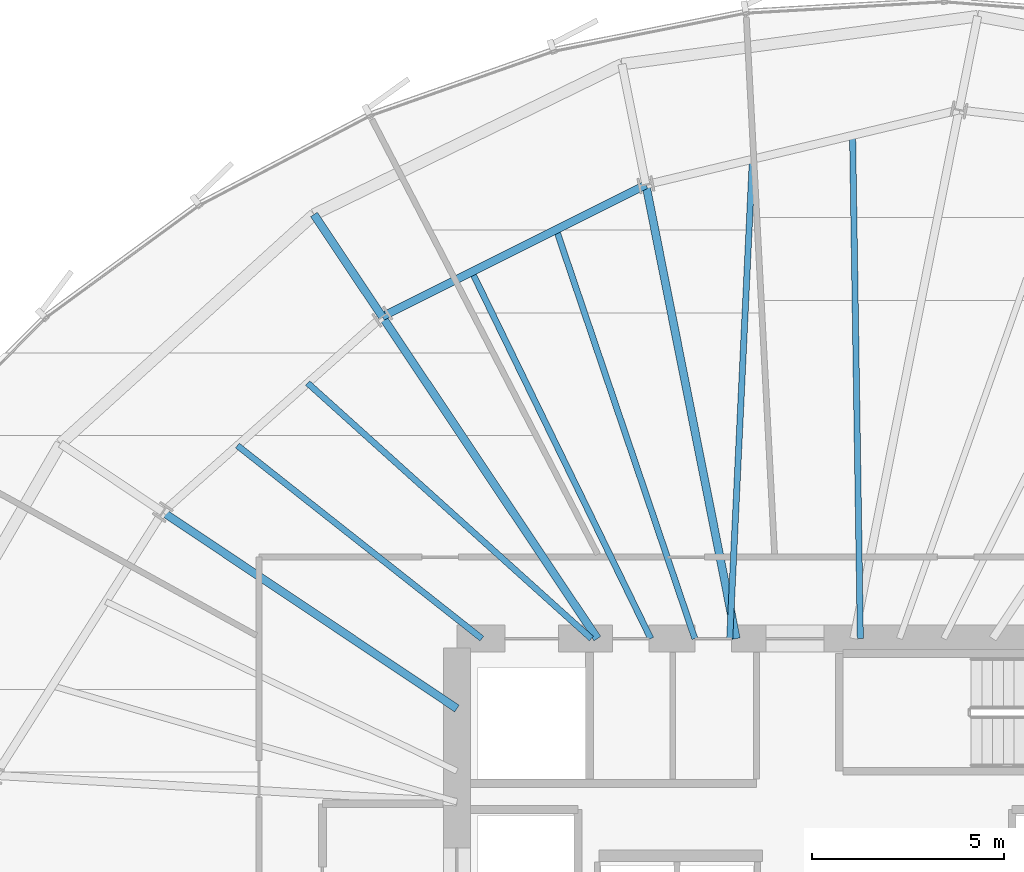
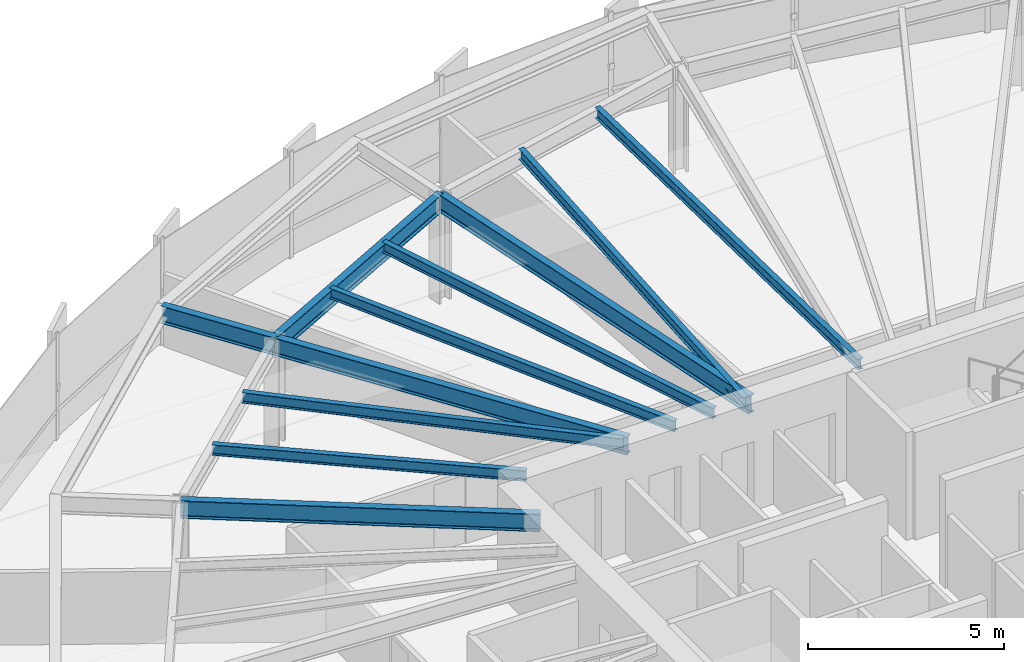
# One storey, part 19 of 35: 11 beams.
"""IFC4 building model written with IfcOpenShell, lengths in metres."""

import ifcopenshell
import ifcopenshell.guid

model = None  # the IFC model being written
_history = None  # IfcOwnerHistory: only IFC2X3 demands one
_inside = {}  # id of a spatial element -> (the spatial element, [elements in it])
_under = {}  # id of a project, library or spatial element -> (it, [spatial elements below it])
_declared = {}  # id of a project -> (the project, [libraries it declares])
_typed = {}  # id of a type object -> (the type object, [elements of that type])
_made_of = {}  # id of a material, layer set ... -> (it, [elements and type objects made of it])


def new_model(schema):
    """Start an empty IFC model of exactly this schema.

    Asked for "IFC4X3", IfcOpenShell would pick the latest addendum, in which some entities
    have other attributes; the version numbers below select the first issue.
    IFC2X3 requires an IfcOwnerHistory on every rooted entity: one is made here for all.
    """
    global model, _history
    if schema == "IFC4X3":
        model = ifcopenshell.file(schema_version=(4, 3, 0, 0))
    else:
        model = ifcopenshell.file(schema=schema)
    _inside.clear()
    _under.clear()
    _declared.clear()
    _typed.clear()
    _made_of.clear()
    _history = None
    if model.schema == "IFC2X3":
        org = make("IfcOrganization", Name="unknown")
        user = make(
            "IfcPersonAndOrganization",
            ThePerson=make("IfcPerson", FamilyName="unknown"),
            TheOrganization=org,
        )
        app = make(
            "IfcApplication",
            ApplicationDeveloper=org,
            Version="unknown",
            ApplicationFullName="unknown",
            ApplicationIdentifier="unknown",
        )
        _history = make(
            "IfcOwnerHistory",
            OwningUser=user,
            OwningApplication=app,
            ChangeAction="ADDED",
            CreationDate=0,
        )
    return model


def make(cls, **values):
    """One entity of the class cls with the attributes given. An attribute that is None is left unset."""
    return model.create_entity(
        cls, **{name: value for name, value in values.items() if value is not None}
    )


def rooted(cls, **values):
    """An entity with a GlobalId (a new one), such as an element, a storey or a relation."""
    return make(cls, GlobalId=ifcopenshell.guid.new(), OwnerHistory=_history, **values)


def si_unit(unit_type, name, prefix=None):
    """IfcSIUnit, for example si_unit("LENGTHUNIT", "METRE", prefix="MILLI")."""
    return make("IfcSIUnit", UnitType=unit_type, Prefix=prefix, Name=name)


def assignment(units):
    """IfcUnitAssignment: the units of a project."""
    return None if units is None else make("IfcUnitAssignment", Units=units)


def point(xyz):
    """IfcCartesianPoint."""
    return None if xyz is None else make("IfcCartesianPoint", Coordinates=xyz)


def direction(xyz):
    """IfcDirection."""
    return None if xyz is None else make("IfcDirection", DirectionRatios=xyz)


def frame(location, z_axis=None, x_axis=None):
    """IfcAxis2Placement3D, a coordinate frame: its origin and axes. An axis left out is left unset."""
    return make(
        "IfcAxis2Placement3D",
        Location=point(location),
        Axis=direction(z_axis),
        RefDirection=direction(x_axis),
    )


def frame_2d(location, x_axis=None):
    """IfcAxis2Placement2D, a coordinate frame in the plane: its origin and x axis."""
    return make(
        "IfcAxis2Placement2D", Location=point(location), RefDirection=direction(x_axis)
    )


def origin():
    """The frame at (0, 0, 0) with its axes left unset."""
    return frame((0.0, 0.0, 0.0))


def origin_2d():
    """The frame at (0, 0) in the plane with its x axis left unset."""
    return frame_2d((0.0, 0.0))


def place(relative_to, where):
    """IfcLocalPlacement: puts the frame where relative to a parent placement (None: the world)."""
    return make(
        "IfcLocalPlacement", PlacementRelTo=relative_to, RelativePlacement=where
    )


def context(
    kind, dimensions, precision=None, world=None, true_north=None, identifier=None
):
    """IfcGeometricRepresentationContext, for example the 3D "Model" context."""
    return make(
        "IfcGeometricRepresentationContext",
        ContextIdentifier=identifier,
        ContextType=kind,
        CoordinateSpaceDimension=dimensions,
        Precision=precision,
        WorldCoordinateSystem=world,
        TrueNorth=true_north,
    )


def subcontext(parent, identifier, kind, view, scale=None):
    """IfcGeometricRepresentationSubContext, for example "Body" below "Model"."""
    return make(
        "IfcGeometricRepresentationSubContext",
        ContextIdentifier=identifier,
        ContextType=kind,
        ParentContext=parent,
        TargetScale=scale,
        TargetView=view,
    )


def project(units=None, contexts=None):
    """IfcProject with its units and contexts."""
    return rooted(
        "IfcProject",
        Name="project",
        RepresentationContexts=contexts,
        UnitsInContext=assignment(units),
    )


def spatial(cls, under=None, at=None, **own):
    """A site, building, storey or space (cls), placed at a placement, below another one or the project."""
    s = rooted(cls, ObjectPlacement=at, **own)
    if under is not None:
        _under.setdefault(under.id(), (under, []))[1].append(s)
    return s


def profile(cls, at=None, kind="AREA", **sizes):
    """A parametric profile (cls). Its sizes go by their IFC names, for example OverallWidth=200.0."""
    return make(cls, ProfileType=kind, Position=at, **sizes)


def i_section(**sizes):
    """IfcIShapeProfileDef."""
    return profile("IfcIShapeProfileDef", **sizes)


def extrude(swept, where, along, depth):
    """IfcExtrudedAreaSolid: the profile swept, set in the frame where, extruded along a direction by depth."""
    return make(
        "IfcExtrudedAreaSolid",
        SweptArea=swept,
        Position=where,
        ExtrudedDirection=direction(along),
        Depth=depth,
    )


def shape(context_of_items, identifier, shape_type, items):
    """IfcShapeRepresentation: the items that make up one representation, for example the "Body"."""
    return make(
        "IfcShapeRepresentation",
        ContextOfItems=context_of_items,
        RepresentationIdentifier=identifier,
        RepresentationType=shape_type,
        Items=items,
    )


def source(mapping_origin, context_of_items, identifier, shape_type, items):
    """IfcRepresentationMap: a shape defined once, which mapped items show again and again."""
    return make(
        "IfcRepresentationMap",
        MappingOrigin=mapping_origin,
        MappedRepresentation=shape(context_of_items, identifier, shape_type, items),
    )


def transform(
    local_origin,
    x_axis=None,
    y_axis=None,
    z_axis=None,
    scale=None,
    scale2=None,
    scale3=None,
    uniform=True,
):
    """IfcCartesianTransformationOperator3D, or its non-uniform kind. x_axis, y_axis, z_axis: its Axis1, 2, 3."""
    if uniform:
        return make(
            "IfcCartesianTransformationOperator3D",
            Axis1=direction(x_axis),
            Axis2=direction(y_axis),
            LocalOrigin=point(local_origin),
            Scale=scale,
            Axis3=direction(z_axis),
        )
    return make(
        "IfcCartesianTransformationOperator3DnonUniform",
        Axis1=direction(x_axis),
        Axis2=direction(y_axis),
        LocalOrigin=point(local_origin),
        Scale=scale,
        Axis3=direction(z_axis),
        Scale2=scale2,
        Scale3=scale3,
    )


def mapped(mapping_source, mapping_target):
    """IfcMappedItem: shows the shape of a source again, moved by a transform."""
    return make(
        "IfcMappedItem", MappingSource=mapping_source, MappingTarget=mapping_target
    )


def material(Name=None, Category=None):
    """IfcMaterial."""
    return make("IfcMaterial", Name=Name, Category=Category)


def material_profile(
    of_material, cross_section, Name=None, Category=None, Priority=None
):
    """IfcMaterialProfile: a cross section and its material."""
    return make(
        "IfcMaterialProfile",
        Name=Name,
        Material=of_material,
        Profile=cross_section,
        Priority=Priority,
        Category=Category,
    )


def profile_set(profiles, Name=None, composite=None):
    """IfcMaterialProfileSet."""
    return make(
        "IfcMaterialProfileSet",
        Name=Name,
        MaterialProfiles=profiles,
        CompositeProfile=composite,
    )


def made_of(thing, what):
    """Note that an element or type object is made of a material, layer set ...; save() writes the relation."""
    if what is not None:
        _made_of.setdefault(what.id(), (what, []))[1].append(thing)
    return thing


def type_object(cls, material=None, **own):
    """A type object (cls), such as IfcWallType, which elements share."""
    return made_of(rooted(cls, **own), material)


def element(
    cls,
    number,
    at=None,
    inside=None,
    cuts=None,
    type_object=None,
    material=None,
    context=None,
    identifier="Body",
    shape_type=None,
    held_by="IfcProductDefinitionShape",
    body=None,
    shapes=None,
    **own,
):
    """One element of the class cls, such as IfcWall. Its Tag is "e" and its number.

    at: its placement. inside: the storey or other place that contains it. cuts: it is an
    opening in that element (IfcRelVoidsElement). A single representation is given by context,
    identifier, shape_type and body (its items); several are given by shapes. held_by: the class
    of the entity that holds the representations. save() writes the other relations.
    """
    e = rooted(cls, Tag="e%d" % number, ObjectPlacement=at, **own)
    if body is not None:
        shapes = [shape(context, identifier, shape_type, body)]
    if shapes is not None:
        e.Representation = make(held_by, Representations=shapes)
    if inside is not None:
        _inside.setdefault(inside.id(), (inside, []))[1].append(e)
    if cuts is not None:
        rooted(
            "IfcRelVoidsElement", RelatingBuildingElement=cuts, RelatedOpeningElement=e
        )
    if type_object is not None:
        _typed.setdefault(type_object.id(), (type_object, []))[1].append(e)
    return made_of(e, material)


def aggregate(whole, parts):
    """IfcRelAggregates: a whole, such as a stair, and the parts it consists of."""
    return rooted("IfcRelAggregates", RelatingObject=whole, RelatedObjects=parts)


def save(model, path):
    """Write the relations noted so far, then the file.

    IfcRelAggregates (storeys below a building ...), IfcRelContainedInSpatialStructure (elements
    in a storey), IfcRelDefinesByType, IfcRelAssociatesMaterial and IfcRelDeclares: one each for
    every whole, place, type object, material and project.
    """
    for whole, parts in _under.values():
        aggregate(whole, parts)
    for where, things in _inside.values():
        rooted(
            "IfcRelContainedInSpatialStructure",
            RelatedElements=things,
            RelatingStructure=where,
        )
    for kind, things in _typed.values():
        rooted("IfcRelDefinesByType", RelatedObjects=things, RelatingType=kind)
    for what, things in _made_of.values():
        rooted("IfcRelAssociatesMaterial", RelatedObjects=things, RelatingMaterial=what)
    for by, libraries in _declared.values():
        rooted("IfcRelDeclares", RelatingContext=by, RelatedDefinitions=libraries)
    model.write(path)


model = new_model("IFC4")

# Units and contexts
model_context = context("Model", 3, precision=1e-05, world=origin(), true_north=direction((0.0, 1.0)))
body_context = subcontext(model_context, "Body", "Model", "MODEL_VIEW")
ifc_project = project(units=[si_unit("LENGTHUNIT", "METRE"), si_unit("AREAUNIT", "SQUARE_METRE"), si_unit("VOLUMEUNIT", "CUBIC_METRE"), si_unit("PLANEANGLEUNIT", "RADIAN"), si_unit("MASSUNIT", "GRAM", prefix="KILO"), si_unit("THERMODYNAMICTEMPERATUREUNIT", "KELVIN")], contexts=[model_context])

# Site, building, storey
site_placement = place(None, origin())
site = spatial("IfcSite", under=ifc_project, at=site_placement, CompositionType="ELEMENT")
building_placement = place(site_placement, origin())
building = spatial("IfcBuilding", under=site, at=building_placement, Name="Kethvar Cultural Tower", CompositionType="ELEMENT")
storey_placement = place(building_placement, frame((0.0, 0.0, 96.39990234375)))
storey = spatial("IfcBuildingStorey", under=building, at=storey_placement, Name="L23", CompositionType="ELEMENT", Elevation=96.39990234375)

# Beams
ifc_material = material(Name="Steel S355J2", Category="steel")
ifc_material_profile_1 = material_profile(ifc_material, i_section(OverallWidth=0.2099609375, OverallDepth=0.550048828125, WebThickness=0.010986328125, FlangeThickness=0.01708984375, FilletRadius=0.02392578125, at=origin_2d()), Name="Steel S355J2 — IPE550")
ifc_profile_set_1 = profile_set([ifc_material_profile_1], Name="Steel S355J2 — IPE550")
beam_type_1 = type_object("IfcBeamType", Name="BM-IPE550", PredefinedType="BEAM", material=ifc_profile_set_1)
shared_shape_1 = source(origin(), body_context, "Body", "SweptSolid", [
    extrude(i_section(OverallWidth=0.2099609375, OverallDepth=0.550048828125, WebThickness=0.010986328125, FlangeThickness=0.01708984375, FilletRadius=0.02392578125, at=origin_2d()), origin(), (0.0, 0.0, 1.0), 3.2001953125),
])
beam_1_placement = place(storey_placement, frame((36.0576171875, 43.877197265625, 3.072998046875), z_axis=(-0.555544970406, 0.831486491686, 0.0), x_axis=(-0.831486491686, -0.555544970406, 0.0)))
element("IfcBeam", 1, at=beam_1_placement, inside=storey, type_object=beam_type_1, Name="L23 Perimeter Cantilever Beam RC-06", PredefinedType="BEAM", context=body_context, shape_type="MappedRepresentation", body=[
    mapped(shared_shape_1, transform((0.0, 0.0, 0.0), scale=1.0)),
])
shared_shape_2 = source(origin(), body_context, "Body", "SweptSolid", [
    extrude(i_section(OverallWidth=0.2099609375, OverallDepth=0.550048828125, WebThickness=0.010986328125, FlangeThickness=0.01708984375, FilletRadius=0.02392578125, at=origin_2d()), origin(), (0.0, 0.0, 1.0), 12.042724609375),
])
beam_2_placement = place(storey_placement, frame((45.268310546875, 35.5, 3.072998046875), z_axis=(-0.195086784047, 0.980785984142, 0.0), x_axis=(-0.980785984142, -0.195086784047, 0.0)))
element("IfcBeam", 2, at=beam_2_placement, inside=storey, type_object=beam_type_1, Name="L23 Primary Radial Beam RB-05", PredefinedType="BEAM", context=body_context, shape_type="MappedRepresentation", body=[
    mapped(shared_shape_2, transform((0.0, 0.0, 0.0), scale=1.0)),
])
shared_shape_3 = source(origin(), body_context, "Body", "SweptSolid", [
    extrude(i_section(OverallWidth=0.2099609375, OverallDepth=0.550048828125, WebThickness=0.010986328125, FlangeThickness=0.01708984375, FilletRadius=0.02392578125, at=origin_2d()), origin(), (0.0, 0.0, 1.0), 10.0751953125),
])
beam_3_placement = place(storey_placement, frame((41.655029296875, 35.5, 3.072998046875), z_axis=(-0.555566654614, 0.831472003305, 0.0), x_axis=(-0.831472003305, -0.555566654614, 0.0)))
element("IfcBeam", 3, at=beam_3_placement, inside=storey, type_object=beam_type_1, Name="L23 Primary Radial Beam RB-06", PredefinedType="BEAM", context=body_context, shape_type="MappedRepresentation", body=[
    mapped(shared_shape_3, transform((0.0, 0.0, 0.0), scale=1.0)),
])
shared_shape_4 = source(origin(), body_context, "Body", "SweptSolid", [
    extrude(i_section(OverallWidth=0.2099609375, OverallDepth=0.550048828125, WebThickness=0.010986328125, FlangeThickness=0.01708984375, FilletRadius=0.02392578125, at=origin_2d()), origin(), (0.0, 0.0, 1.0), 9.205322265625),
])
beam_4_placement = place(storey_placement, frame((38.0, 33.679931640625, 3.072998046875), z_axis=(-0.831470451236, 0.555568977465, 0.0), x_axis=(-0.555568977465, -0.831470451236, 0.0)))
element("IfcBeam", 4, at=beam_4_placement, inside=storey, type_object=beam_type_1, Name="L23 Primary Radial Beam RB-07", PredefinedType="BEAM", context=body_context, shape_type="MappedRepresentation", body=[
    mapped(shared_shape_4, transform((0.0, 0.0, 0.0), scale=1.0)),
])
ifc_material_profile_2 = material_profile(ifc_material, i_section(OverallWidth=0.159912109375, OverallDepth=0.330078125, WebThickness=0.007568359375, FlangeThickness=0.011474609375, FilletRadius=0.01806640625, at=origin_2d()), Name="Steel S355J2 — IPE330")
ifc_profile_set_2 = profile_set([ifc_material_profile_2], Name="Steel S355J2 — IPE330")
beam_type_2 = type_object("IfcBeamType", Name="BM-J330", PredefinedType="JOIST", material=ifc_profile_set_2)
shared_shape_5 = source(origin(), body_context, "Body", "SweptSolid", [
    extrude(i_section(OverallWidth=0.159912109375, OverallDepth=0.330078125, WebThickness=0.007568359375, FlangeThickness=0.011474609375, FilletRadius=0.01806640625, at=origin_2d()), origin(), (0.0, 0.0, 1.0), 13.098388671875),
])
beam_5_placement = place(storey_placement, frame((48.5, 35.5, 3.18310546875), z_axis=(-0.015451599057, 0.999880616917, 0.0), x_axis=(-0.999880616917, -0.015451599057, 0.0)))
element("IfcBeam", 5, at=beam_5_placement, inside=storey, type_object=beam_type_2, Name="L23 Composite Floor Joist J-04A", PredefinedType="JOIST", context=body_context, shape_type="MappedRepresentation", body=[
    mapped(shared_shape_5, transform((0.0, 0.0, 0.0), scale=1.0)),
])
shared_shape_6 = source(origin(), body_context, "Body", "SweptSolid", [
    extrude(i_section(OverallWidth=0.159912109375, OverallDepth=0.330078125, WebThickness=0.007568359375, FlangeThickness=0.011474609375, FilletRadius=0.01806640625, at=origin_2d()), origin(), (0.0, 0.0, 1.0), 12.487548828125),
])
beam_6_placement = place(storey_placement, frame((45.10009765625, 35.5, 3.18310546875), z_axis=(0.047214958818, 0.998884751943, 0.0), x_axis=(-0.998884751943, 0.047214958818, 0.0)))
element("IfcBeam", 6, at=beam_6_placement, inside=storey, type_object=beam_type_2, Name="L23 Composite Floor Joist J-04B", PredefinedType="JOIST", context=body_context, shape_type="MappedRepresentation", body=[
    mapped(shared_shape_6, transform((0.0, 0.0, 0.0), scale=1.0)),
])
shared_shape_7 = source(origin(), body_context, "Body", "SweptSolid", [
    extrude(i_section(OverallWidth=0.2099609375, OverallDepth=0.550048828125, WebThickness=0.010986328125, FlangeThickness=0.01708984375, FilletRadius=0.02392578125, at=origin_2d()), origin(), (0.0, 0.0, 1.0), 7.672607421875),
])
beam_7_placement = place(storey_placement, frame((42.9189453125, 47.311279296875, 3.072998046875), z_axis=(-0.894248932057, -0.447569935892, 0.0), x_axis=(0.447569935892, -0.894248932057, 0.0)))
element("IfcBeam", 7, at=beam_7_placement, inside=storey, type_object=beam_type_1, Name="L23 Column Ring Tie Beam CR-05", PredefinedType="BEAM", context=body_context, shape_type="MappedRepresentation", body=[
    mapped(shared_shape_7, transform((0.0, 0.0, 0.0), scale=1.0)),
])
shared_shape_8 = source(origin(), body_context, "Body", "SweptSolid", [
    extrude(i_section(OverallWidth=0.159912109375, OverallDepth=0.330078125, WebThickness=0.007568359375, FlangeThickness=0.011474609375, FilletRadius=0.01806640625, at=origin_2d()), origin(), (0.0, 0.0, 1.0), 11.23779296875),
])
beam_8_placement = place(storey_placement, frame((44.191650390625, 35.5, 3.18310546875), z_axis=(-0.32083186626, 0.94713616423, 0.0), x_axis=(-0.94713616423, -0.32083186626, 0.0)))
element("IfcBeam", 8, at=beam_8_placement, inside=storey, type_object=beam_type_2, Name="L23 Composite Floor Joist J-05A", PredefinedType="JOIST", context=body_context, shape_type="MappedRepresentation", body=[
    mapped(shared_shape_8, transform((0.0, 0.0, 0.0), scale=1.0)),
])
shared_shape_9 = source(origin(), body_context, "Body", "SweptSolid", [
    extrude(i_section(OverallWidth=0.159912109375, OverallDepth=0.330078125, WebThickness=0.007568359375, FlangeThickness=0.011474609375, FilletRadius=0.01806640625, at=origin_2d()), origin(), (0.0, 0.0, 1.0), 10.619384765625),
])
beam_9_placement = place(storey_placement, frame((43.044921875, 35.5, 3.18310546875), z_axis=(-0.438308125028, 0.898824781331, 0.0), x_axis=(-0.898824781331, -0.438308125028, 0.0)))
element("IfcBeam", 9, at=beam_9_placement, inside=storey, type_object=beam_type_2, Name="L23 Composite Floor Joist J-05B", PredefinedType="JOIST", context=body_context, shape_type="MappedRepresentation", body=[
    mapped(shared_shape_9, transform((0.0, 0.0, 0.0), scale=1.0)),
])
shared_shape_10 = source(origin(), body_context, "Body", "SweptSolid", [
    extrude(i_section(OverallWidth=0.159912109375, OverallDepth=0.330078125, WebThickness=0.007568359375, FlangeThickness=0.011474609375, FilletRadius=0.01806640625, at=origin_2d()), origin(), (0.0, 0.0, 1.0), 9.93701171875),
])
beam_10_placement = place(storey_placement, frame((41.5, 35.5, 3.18310546875), z_axis=(-0.743138974967, 0.669137103952, 0.0), x_axis=(-0.669137103952, -0.743138974967, 0.0)))
element("IfcBeam", 10, at=beam_10_placement, inside=storey, type_object=beam_type_2, Name="L23 Composite Floor Joist J-06A", PredefinedType="JOIST", context=body_context, shape_type="MappedRepresentation", body=[
    mapped(shared_shape_10, transform((0.0, 0.0, 0.0), scale=1.0)),
])
shared_shape_11 = source(origin(), body_context, "Body", "SweptSolid", [
    extrude(i_section(OverallWidth=0.159912109375, OverallDepth=0.330078125, WebThickness=0.007568359375, FlangeThickness=0.011474609375, FilletRadius=0.01806640625, at=origin_2d()), origin(), (0.0, 0.0, 1.0), 8.105712890625),
])
beam_11_placement = place(storey_placement, frame((38.64990234375, 35.5, 3.18310546875), z_axis=(-0.784895872164, 0.619627686486, 0.0), x_axis=(-0.619627686486, -0.784895872164, 0.0)))
element("IfcBeam", 11, at=beam_11_placement, inside=storey, type_object=beam_type_2, Name="L23 Composite Floor Joist J-06B", PredefinedType="JOIST", context=body_context, shape_type="MappedRepresentation", body=[
    mapped(shared_shape_11, transform((0.0, 0.0, 0.0), scale=1.0)),
])

save(model, "model.ifc")
